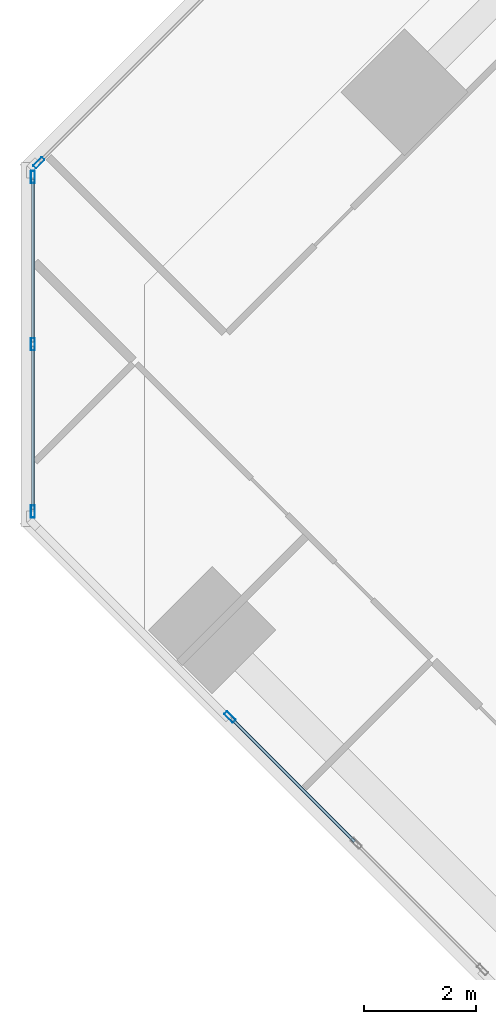
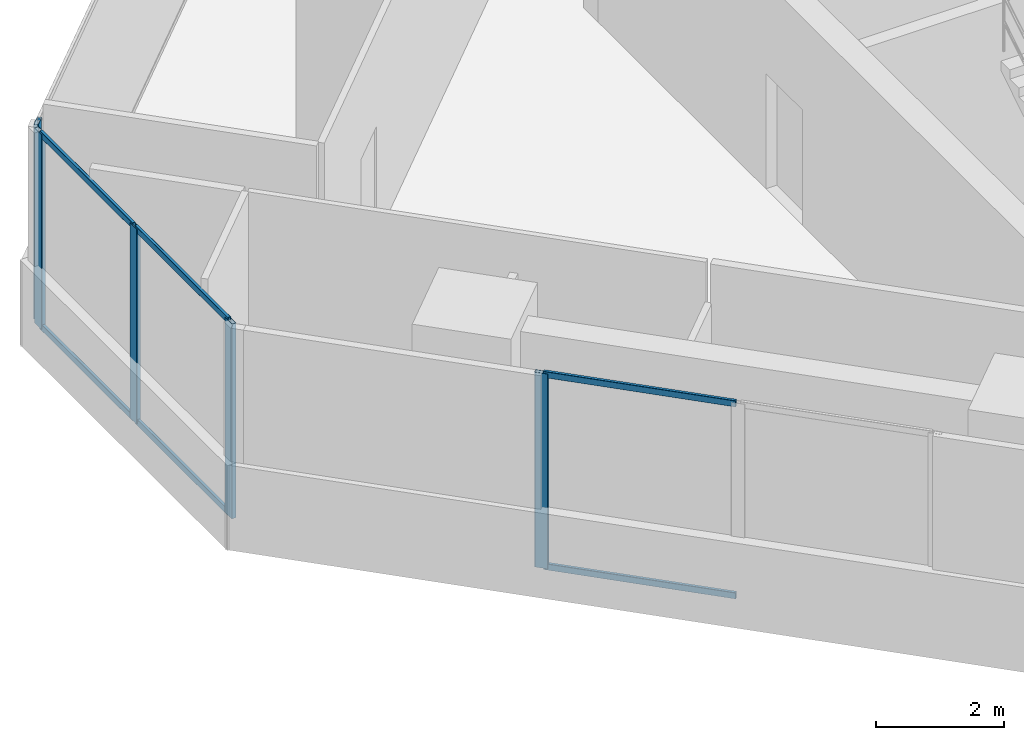
# One storey, part 4 of 17: 11 members, 3 elements without a shape of their own.
"""IFC4 building model written with IfcOpenShell, lengths in metres."""

from ifc_helpers import new_model, si_unit, direction, frame, origin, origin_2d, place, context, subcontext, project, spatial, hollow_rectangle, extrude, source, transform, mapped, material, material_profile, profile_set, type_object, element, aggregate, save


model = new_model("IFC4")

# Units and contexts
model_context = context("Model", 3, precision=1e-05, world=origin(), true_north=direction((0.0, 1.0)))
body_context = subcontext(model_context, "Body", "Model", "MODEL_VIEW")
ifc_project = project(units=[si_unit("LENGTHUNIT", "METRE"), si_unit("AREAUNIT", "SQUARE_METRE"), si_unit("VOLUMEUNIT", "CUBIC_METRE"), si_unit("PLANEANGLEUNIT", "RADIAN"), si_unit("MASSUNIT", "GRAM", prefix="KILO")], contexts=[model_context])

# Site, building, storey
site_placement = place(None, origin())
site = spatial("IfcSite", under=ifc_project, at=site_placement, CompositionType="ELEMENT")
building_placement = place(site_placement, origin())
building = spatial("IfcBuilding", under=site, at=building_placement, Name="Torre Montelarca", CompositionType="ELEMENT")
storey_placement = place(building_placement, frame((0.0, 0.0, 241.60009765625)))
storey = spatial("IfcBuildingStorey", under=building, at=storey_placement, Name="L54", CompositionType="ELEMENT", Elevation=241.60009765625)

# Curtain wall, members
ifc_material_1 = material(Name="Insulated low-E laminated glass", Category="glass")
curtain_wall_type = type_object("IfcCurtainWallType", Name="CW-SYS-Z3", PredefinedType="USERDEFINED", material=ifc_material_1)
curtain_wall_1_placement = place(storey_placement, origin())
curtain_wall_1 = element("IfcCurtainWall", 1, at=curtain_wall_1_placement, inside=storey, type_object=curtain_wall_type, Name="L54 Curtain Wall Run CW-T3-L54-E11-B1", ObjectType="UNITISED GLAZING", PredefinedType="USERDEFINED")
ifc_material_2 = material(Name="Anodised aluminium AA 6063-T6", Category="aluminium")
ifc_material_profile_1 = material_profile(ifc_material_2, hollow_rectangle(XDim=0.054931640625, YDim=0.1201171875, WallThickness=0.00341796875, InnerFilletRadius=0.00341796875, OuterFilletRadius=0.007080078125, at=origin_2d()), Name="ALU55X120X3.5", Category="aluminium")
ifc_profile_set_1 = profile_set([ifc_material_profile_1], Name="Anodised aluminium AA 6063-T6")
member_type_1 = type_object("IfcMemberType", Name="CWT-ALU120", PredefinedType="USERDEFINED", material=ifc_profile_set_1)
shared_shape_1 = source(origin(), body_context, "Body", "SweptSolid", [
    extrude(hollow_rectangle(XDim=0.054931640625, YDim=0.1201171875, WallThickness=0.00341796875, InnerFilletRadius=0.00341796875, OuterFilletRadius=0.007080078125, at=origin_2d()), origin(), (0.0, 0.0, 1.0), 2.903564453125),
])
member_1_placement = place(storey_placement, frame((-2.694580078125, 33.730224609375, 0.02734375), z_axis=(0.0, -1.0, 0.0), x_axis=(1.0, 0.0, 0.0)))
member_1 = element("IfcMember", 2, at=member_1_placement, type_object=member_type_1, Name="CW transom 2.1", ObjectType="TRANSOM", PredefinedType="USERDEFINED", context=body_context, shape_type="MappedRepresentation", body=[
    mapped(shared_shape_1, transform((0.0, 0.0, 0.0), scale=1.0)),
])
member_2_placement = place(storey_placement, frame((-2.694580078125, 33.730224609375, 3.6923828125), z_axis=(0.0, -1.0, 0.0), x_axis=(1.0, 0.0, 0.0)))
member_2 = element("IfcMember", 3, at=member_2_placement, type_object=member_type_1, Name="CW transom 2.2", ObjectType="TRANSOM", PredefinedType="USERDEFINED", context=body_context, shape_type="MappedRepresentation", body=[
    mapped(shared_shape_1, transform((0.0, 0.0, 0.0), scale=1.0)),
])

# Curtain wall, member
curtain_wall_2_placement = place(storey_placement, origin())
curtain_wall_2 = element("IfcCurtainWall", 4, at=curtain_wall_2_placement, inside=storey, type_object=curtain_wall_type, Name="L54 Curtain Wall Run CW-T3-L54-E01-B1", ObjectType="UNITISED GLAZING", PredefinedType="USERDEFINED")
ifc_material_profile_2 = material_profile(ifc_material_2, hollow_rectangle(XDim=0.074951171875, YDim=0.219970703125, WallThickness=0.0048828125, InnerFilletRadius=0.0048828125, OuterFilletRadius=0.010009765625, at=origin_2d()), Name="ALU75X220X5", Category="aluminium")
ifc_profile_set_2 = profile_set([ifc_material_profile_2], Name="Anodised aluminium AA 6063-T6")
member_type_2 = type_object("IfcMemberType", Name="CWM-ALU220", PredefinedType="MULLION", material=ifc_profile_set_2)
shared_shape_2 = source(origin(), body_context, "Body", "SweptSolid", [
    extrude(hollow_rectangle(XDim=0.074951171875, YDim=0.219970703125, WallThickness=0.0048828125, InnerFilletRadius=0.0048828125, OuterFilletRadius=0.010009765625, at=origin_2d()), origin(), (0.0, 0.0, 1.0), 3.719970703125),
])
member_3_placement = place(storey_placement, frame((0.8154296875, 27.1298828125, 0.0), z_axis=(0.0, 0.0, 1.0), x_axis=(0.707106781187, 0.707106781187, 0.0)))
member_3 = element("IfcMember", 5, at=member_3_placement, type_object=member_type_2, Name="CW mullion 1", PredefinedType="MULLION", context=body_context, shape_type="MappedRepresentation", body=[
    mapped(shared_shape_2, transform((0.0, 0.0, 0.0), scale=1.0)),
])

curtain_wall_3_placement = place(storey_placement, origin())
curtain_wall_3 = element("IfcCurtainWall", 6, at=curtain_wall_3_placement, inside=storey, type_object=curtain_wall_type, Name="L54 Curtain Wall Run CW-T3-L54-E10-B1", ObjectType="UNITISED GLAZING", PredefinedType="USERDEFINED")
member_4_placement = place(storey_placement, frame((-2.5888671875, 37.001708984375, 0.0), z_axis=(0.0, 0.0, 1.0), x_axis=(0.707108775742, -0.707104786625, 0.0)))
member_4 = element("IfcMember", 7, at=member_4_placement, type_object=member_type_2, Name="CW mullion 3", PredefinedType="MULLION", context=body_context, shape_type="MappedRepresentation", body=[
    mapped(shared_shape_2, transform((0.0, 0.0, 0.0), scale=1.0)),
])
aggregate(curtain_wall_3, [member_4])

# Member
member_5_placement = place(storey_placement, frame((-2.694580078125, 36.746337890625, 0.0), z_axis=(0.0, 0.0, 1.0), x_axis=(1.0, 0.0, 0.0)))
member_5 = element("IfcMember", 8, at=member_5_placement, type_object=member_type_2, Name="CW mullion 1", PredefinedType="MULLION", context=body_context, shape_type="MappedRepresentation", body=[
    mapped(shared_shape_2, transform((0.0, 0.0, 0.0), scale=1.0)),
])

member_6_placement = place(storey_placement, frame((-2.694580078125, 33.767822265625, 0.0), z_axis=(0.0, 0.0, 1.0), x_axis=(1.0, 0.0, 0.0)))
member_6 = element("IfcMember", 9, at=member_6_placement, type_object=member_type_2, Name="CW mullion 2", PredefinedType="MULLION", context=body_context, shape_type="MappedRepresentation", body=[
    mapped(shared_shape_2, transform((0.0, 0.0, 0.0), scale=1.0)),
])

member_7_placement = place(storey_placement, frame((-2.694580078125, 30.7890625, 0.0), z_axis=(0.0, 0.0, 1.0), x_axis=(1.0, 0.0, 0.0)))
member_7 = element("IfcMember", 10, at=member_7_placement, type_object=member_type_2, Name="CW mullion 3", PredefinedType="MULLION", context=body_context, shape_type="MappedRepresentation", body=[
    mapped(shared_shape_2, transform((0.0, 0.0, 0.0), scale=1.0)),
])

shared_shape_3 = source(origin(), body_context, "Body", "SweptSolid", [
    extrude(hollow_rectangle(XDim=0.054931640625, YDim=0.1201171875, WallThickness=0.00341796875, InnerFilletRadius=0.00341796875, OuterFilletRadius=0.007080078125, at=origin_2d()), origin(), (0.0, 0.0, 1.0), 3.107421875),
])
member_8_placement = place(storey_placement, frame((0.841796875, 27.103271484375, 0.02734375), z_axis=(0.707106781187, -0.707106781187, 0.0), x_axis=(0.707106781187, 0.707106781187, 0.0)))
member_8 = element("IfcMember", 11, at=member_8_placement, type_object=member_type_1, Name="CW transom 1.1", ObjectType="TRANSOM", PredefinedType="USERDEFINED", context=body_context, shape_type="MappedRepresentation", body=[
    mapped(shared_shape_3, transform((0.0, 0.0, 0.0), scale=1.0)),
])

member_9_placement = place(storey_placement, frame((0.841796875, 27.103271484375, 3.6923828125), z_axis=(0.707106781187, -0.707106781187, 0.0), x_axis=(0.707106781187, 0.707106781187, 0.0)))
member_9 = element("IfcMember", 12, at=member_9_placement, type_object=member_type_1, Name="CW transom 1.2", ObjectType="TRANSOM", PredefinedType="USERDEFINED", context=body_context, shape_type="MappedRepresentation", body=[
    mapped(shared_shape_3, transform((0.0, 0.0, 0.0), scale=1.0)),
])

aggregate(curtain_wall_2, [member_3, member_8, member_9])

shared_shape_4 = source(origin(), body_context, "Body", "SweptSolid", [
    extrude(hollow_rectangle(XDim=0.054931640625, YDim=0.1201171875, WallThickness=0.00341796875, InnerFilletRadius=0.00341796875, OuterFilletRadius=0.007080078125, at=origin_2d()), origin(), (0.0, 0.0, 1.0), 2.90380859375),
])
member_10_placement = place(storey_placement, frame((-2.694580078125, 36.708984375, 0.02734375), z_axis=(0.0, -1.0, 0.0), x_axis=(1.0, 0.0, 0.0)))
member_10 = element("IfcMember", 13, at=member_10_placement, type_object=member_type_1, Name="CW transom 1.1", ObjectType="TRANSOM", PredefinedType="USERDEFINED", context=body_context, shape_type="MappedRepresentation", body=[
    mapped(shared_shape_4, transform((0.0, 0.0, 0.0), scale=1.0)),
])

member_11_placement = place(storey_placement, frame((-2.694580078125, 36.708984375, 3.6923828125), z_axis=(0.0, -1.0, 0.0), x_axis=(1.0, 0.0, 0.0)))
member_11 = element("IfcMember", 14, at=member_11_placement, type_object=member_type_1, Name="CW transom 1.2", ObjectType="TRANSOM", PredefinedType="USERDEFINED", context=body_context, shape_type="MappedRepresentation", body=[
    mapped(shared_shape_4, transform((0.0, 0.0, 0.0), scale=1.0)),
])

aggregate(curtain_wall_1, [member_5, member_6, member_7, member_10, member_11, member_1, member_2])

save(model, "model.ifc")
